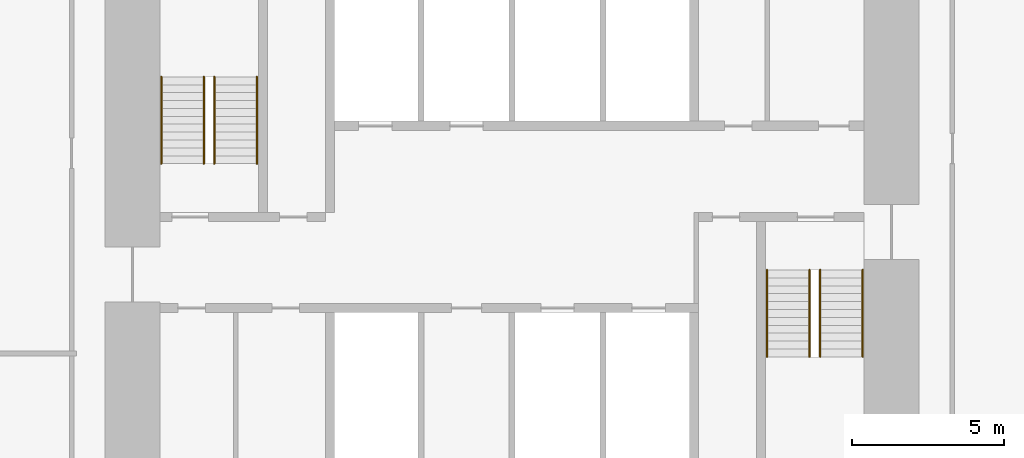
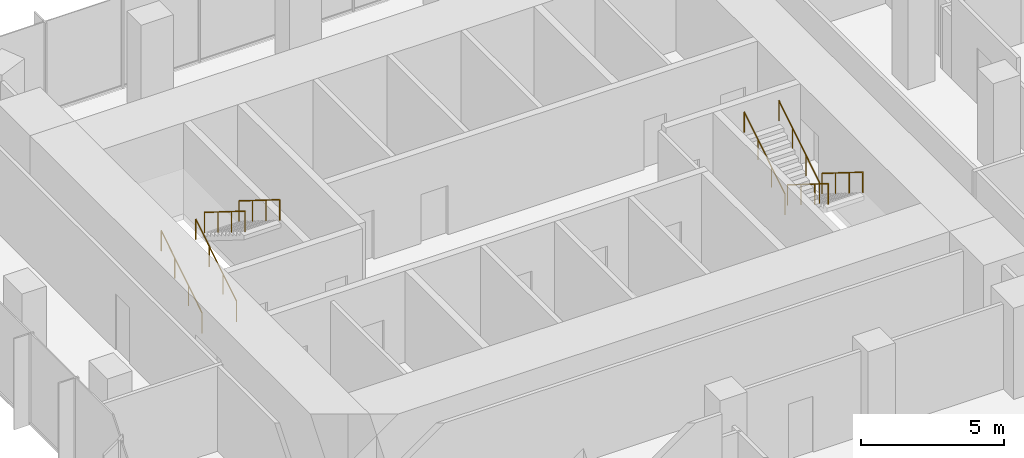
# One storey, part 11 of 11: 8 railings.
"""IFC4 building model written with IfcOpenShell, lengths in metres."""

import ifcopenshell
import ifcopenshell.guid

model = None  # the IFC model being written
_history = None  # IfcOwnerHistory: only IFC2X3 demands one
_inside = {}  # id of a spatial element -> (the spatial element, [elements in it])
_under = {}  # id of a project, library or spatial element -> (it, [spatial elements below it])
_declared = {}  # id of a project -> (the project, [libraries it declares])
_typed = {}  # id of a type object -> (the type object, [elements of that type])
_made_of = {}  # id of a material, layer set ... -> (it, [elements and type objects made of it])


def new_model(schema):
    """Start an empty IFC model of exactly this schema.

    Asked for "IFC4X3", IfcOpenShell would pick the latest addendum, in which some entities
    have other attributes; the version numbers below select the first issue.
    IFC2X3 requires an IfcOwnerHistory on every rooted entity: one is made here for all.
    """
    global model, _history
    if schema == "IFC4X3":
        model = ifcopenshell.file(schema_version=(4, 3, 0, 0))
    else:
        model = ifcopenshell.file(schema=schema)
    _inside.clear()
    _under.clear()
    _declared.clear()
    _typed.clear()
    _made_of.clear()
    _history = None
    if model.schema == "IFC2X3":
        org = make("IfcOrganization", Name="unknown")
        user = make(
            "IfcPersonAndOrganization",
            ThePerson=make("IfcPerson", FamilyName="unknown"),
            TheOrganization=org,
        )
        app = make(
            "IfcApplication",
            ApplicationDeveloper=org,
            Version="unknown",
            ApplicationFullName="unknown",
            ApplicationIdentifier="unknown",
        )
        _history = make(
            "IfcOwnerHistory",
            OwningUser=user,
            OwningApplication=app,
            ChangeAction="ADDED",
            CreationDate=0,
        )
    return model


def make(cls, **values):
    """One entity of the class cls with the attributes given. An attribute that is None is left unset."""
    return model.create_entity(
        cls, **{name: value for name, value in values.items() if value is not None}
    )


def rooted(cls, **values):
    """An entity with a GlobalId (a new one), such as an element, a storey or a relation."""
    return make(cls, GlobalId=ifcopenshell.guid.new(), OwnerHistory=_history, **values)


def si_unit(unit_type, name, prefix=None):
    """IfcSIUnit, for example si_unit("LENGTHUNIT", "METRE", prefix="MILLI")."""
    return make("IfcSIUnit", UnitType=unit_type, Prefix=prefix, Name=name)


def assignment(units):
    """IfcUnitAssignment: the units of a project."""
    return None if units is None else make("IfcUnitAssignment", Units=units)


def point(xyz):
    """IfcCartesianPoint."""
    return None if xyz is None else make("IfcCartesianPoint", Coordinates=xyz)


def direction(xyz):
    """IfcDirection."""
    return None if xyz is None else make("IfcDirection", DirectionRatios=xyz)


def frame(location, z_axis=None, x_axis=None):
    """IfcAxis2Placement3D, a coordinate frame: its origin and axes. An axis left out is left unset."""
    return make(
        "IfcAxis2Placement3D",
        Location=point(location),
        Axis=direction(z_axis),
        RefDirection=direction(x_axis),
    )


def frame_2d(location, x_axis=None):
    """IfcAxis2Placement2D, a coordinate frame in the plane: its origin and x axis."""
    return make(
        "IfcAxis2Placement2D", Location=point(location), RefDirection=direction(x_axis)
    )


def origin():
    """The frame at (0, 0, 0) with its axes left unset."""
    return frame((0.0, 0.0, 0.0))


def origin_2d():
    """The frame at (0, 0) in the plane with its x axis left unset."""
    return frame_2d((0.0, 0.0))


def place(relative_to, where):
    """IfcLocalPlacement: puts the frame where relative to a parent placement (None: the world)."""
    return make(
        "IfcLocalPlacement", PlacementRelTo=relative_to, RelativePlacement=where
    )


def context(
    kind, dimensions, precision=None, world=None, true_north=None, identifier=None
):
    """IfcGeometricRepresentationContext, for example the 3D "Model" context."""
    return make(
        "IfcGeometricRepresentationContext",
        ContextIdentifier=identifier,
        ContextType=kind,
        CoordinateSpaceDimension=dimensions,
        Precision=precision,
        WorldCoordinateSystem=world,
        TrueNorth=true_north,
    )


def subcontext(parent, identifier, kind, view, scale=None):
    """IfcGeometricRepresentationSubContext, for example "Body" below "Model"."""
    return make(
        "IfcGeometricRepresentationSubContext",
        ContextIdentifier=identifier,
        ContextType=kind,
        ParentContext=parent,
        TargetScale=scale,
        TargetView=view,
    )


def project(units=None, contexts=None):
    """IfcProject with its units and contexts."""
    return rooted(
        "IfcProject",
        Name="project",
        RepresentationContexts=contexts,
        UnitsInContext=assignment(units),
    )


def spatial(cls, under=None, at=None, **own):
    """A site, building, storey or space (cls), placed at a placement, below another one or the project."""
    s = rooted(cls, ObjectPlacement=at, **own)
    if under is not None:
        _under.setdefault(under.id(), (under, []))[1].append(s)
    return s


def profile(cls, at=None, kind="AREA", **sizes):
    """A parametric profile (cls). Its sizes go by their IFC names, for example OverallWidth=200.0."""
    return make(cls, ProfileType=kind, Position=at, **sizes)


def circle(**sizes):
    """IfcCircleProfileDef."""
    return profile("IfcCircleProfileDef", **sizes)


def extrude(swept, where, along, depth):
    """IfcExtrudedAreaSolid: the profile swept, set in the frame where, extruded along a direction by depth."""
    return make(
        "IfcExtrudedAreaSolid",
        SweptArea=swept,
        Position=where,
        ExtrudedDirection=direction(along),
        Depth=depth,
    )


def shape(context_of_items, identifier, shape_type, items):
    """IfcShapeRepresentation: the items that make up one representation, for example the "Body"."""
    return make(
        "IfcShapeRepresentation",
        ContextOfItems=context_of_items,
        RepresentationIdentifier=identifier,
        RepresentationType=shape_type,
        Items=items,
    )


def material(Name=None, Category=None):
    """IfcMaterial."""
    return make("IfcMaterial", Name=Name, Category=Category)


def made_of(thing, what):
    """Note that an element or type object is made of a material, layer set ...; save() writes the relation."""
    if what is not None:
        _made_of.setdefault(what.id(), (what, []))[1].append(thing)
    return thing


def type_object(cls, material=None, **own):
    """A type object (cls), such as IfcWallType, which elements share."""
    return made_of(rooted(cls, **own), material)


def element(
    cls,
    number,
    at=None,
    inside=None,
    cuts=None,
    type_object=None,
    material=None,
    context=None,
    identifier="Body",
    shape_type=None,
    held_by="IfcProductDefinitionShape",
    body=None,
    shapes=None,
    **own,
):
    """One element of the class cls, such as IfcWall. Its Tag is "e" and its number.

    at: its placement. inside: the storey or other place that contains it. cuts: it is an
    opening in that element (IfcRelVoidsElement). A single representation is given by context,
    identifier, shape_type and body (its items); several are given by shapes. held_by: the class
    of the entity that holds the representations. save() writes the other relations.
    """
    e = rooted(cls, Tag="e%d" % number, ObjectPlacement=at, **own)
    if body is not None:
        shapes = [shape(context, identifier, shape_type, body)]
    if shapes is not None:
        e.Representation = make(held_by, Representations=shapes)
    if inside is not None:
        _inside.setdefault(inside.id(), (inside, []))[1].append(e)
    if cuts is not None:
        rooted(
            "IfcRelVoidsElement", RelatingBuildingElement=cuts, RelatedOpeningElement=e
        )
    if type_object is not None:
        _typed.setdefault(type_object.id(), (type_object, []))[1].append(e)
    return made_of(e, material)


def aggregate(whole, parts):
    """IfcRelAggregates: a whole, such as a stair, and the parts it consists of."""
    return rooted("IfcRelAggregates", RelatingObject=whole, RelatedObjects=parts)


def save(model, path):
    """Write the relations noted so far, then the file.

    IfcRelAggregates (storeys below a building ...), IfcRelContainedInSpatialStructure (elements
    in a storey), IfcRelDefinesByType, IfcRelAssociatesMaterial and IfcRelDeclares: one each for
    every whole, place, type object, material and project.
    """
    for whole, parts in _under.values():
        aggregate(whole, parts)
    for where, things in _inside.values():
        rooted(
            "IfcRelContainedInSpatialStructure",
            RelatedElements=things,
            RelatingStructure=where,
        )
    for kind, things in _typed.values():
        rooted("IfcRelDefinesByType", RelatedObjects=things, RelatingType=kind)
    for what, things in _made_of.values():
        rooted("IfcRelAssociatesMaterial", RelatedObjects=things, RelatingMaterial=what)
    for by, libraries in _declared.values():
        rooted("IfcRelDeclares", RelatingContext=by, RelatedDefinitions=libraries)
    model.write(path)


model = new_model("IFC4")

# Units and contexts
model_context = context("Model", 3, precision=1e-05, world=origin(), true_north=direction((0.0, 1.0)))
body_context = subcontext(model_context, "Body", "Model", "MODEL_VIEW")
ifc_project = project(units=[si_unit("LENGTHUNIT", "METRE"), si_unit("AREAUNIT", "SQUARE_METRE"), si_unit("VOLUMEUNIT", "CUBIC_METRE"), si_unit("PLANEANGLEUNIT", "RADIAN"), si_unit("MASSUNIT", "GRAM", prefix="KILO")], contexts=[model_context])

# Site, building, storey
site_placement = place(None, origin())
site = spatial("IfcSite", under=ifc_project, at=site_placement, CompositionType="ELEMENT")
building_placement = place(site_placement, origin())
building = spatial("IfcBuilding", under=site, at=building_placement, Name="Highveld Stack Headquarters", CompositionType="ELEMENT")
storey_placement = place(building_placement, frame((0.0, 0.0, 280.10009765625)))
storey = spatial("IfcBuildingStorey", under=building, at=storey_placement, Name="L69", CompositionType="ELEMENT", Elevation=280.10009765625)

# Railings
ifc_material = material(Name="Stainless steel handrail", Category="steel")
railing_type = type_object("IfcRailingType", Name="STAIR HANDRAIL HR1 900", PredefinedType="HANDRAIL", material=ifc_material)
for number, where, name in (
    (1, (-5.550048828125, 4.75, 0.162353515625), "Handrail S1 L69 flight 1"),
    (2, (-4.14990234375, 4.75, 0.162353515625), "Handrail S1 L69 flight 1"),
):
    element("IfcRailing", number, at=place(storey_placement, frame(where)), inside=storey, type_object=railing_type, Name=name, PredefinedType="HANDRAIL", context=body_context, shape_type="SweptSolid", body=[
        extrude(circle(Radius=0.02392578125, at=origin_2d()), frame((0.0, 0.0, 0.8759765625), z_axis=(0.0, 0.847994237388, 0.530005446535), x_axis=(-1.0, 0.0, 0.0)), (0.0, 0.0, 1.0), 3.372802734375),
        extrude(circle(Radius=0.02099609375, at=origin_2d()), origin(), (0.0, 0.0, 1.0), 0.851806640625),
        extrude(circle(Radius=0.02099609375, at=origin_2d()), frame((0.0, 0.953369140625, 0.595947265625)), (0.0, 0.0, 1.0), 0.851806640625),
        extrude(circle(Radius=0.02099609375, at=origin_2d()), frame((0.0, 1.90673828125, 1.191650390625)), (0.0, 0.0, 1.0), 0.851806640625),
        extrude(circle(Radius=0.02099609375, at=origin_2d()), frame((0.0, 2.860107421875, 1.78759765625)), (0.0, 0.0, 1.0), 0.851806640625),
    ])
for number, where, name in (
    (3, (-3.800048828125, 7.610107421875, 2.1123046875), "Handrail S1 L69 flight 2"),
    (4, (-2.39990234375, 7.610107421875, 2.1123046875), "Handrail S1 L69 flight 2"),
    (5, (16.14990234375, 1.25, 0.162353515625), "Handrail S2 L69 flight 1"),
    (6, (17.550048828125, 1.25, 0.162353515625), "Handrail S2 L69 flight 1"),
):
    element("IfcRailing", number, at=place(storey_placement, frame(where)), inside=storey, type_object=railing_type, Name=name, PredefinedType="HANDRAIL", context=body_context, shape_type="SweptSolid", body=[
        extrude(circle(Radius=0.02392578125, at=origin_2d()), frame((0.0, 0.0, 0.8759765625), z_axis=(0.0, -0.847994237388, 0.530005446535), x_axis=(1.0, 0.0, 0.0)), (0.0, 0.0, 1.0), 3.372802734375),
        extrude(circle(Radius=0.02099609375, at=origin_2d()), origin(), (0.0, 0.0, 1.0), 0.851806640625),
        extrude(circle(Radius=0.02099609375, at=origin_2d()), frame((0.0, -0.953369140625, 0.595947265625)), (0.0, 0.0, 1.0), 0.851806640625),
        extrude(circle(Radius=0.02099609375, at=origin_2d()), frame((0.0, -1.90673828125, 1.191650390625)), (0.0, 0.0, 1.0), 0.851806640625),
        extrude(circle(Radius=0.02099609375, at=origin_2d()), frame((0.0, -2.860107421875, 1.78759765625)), (0.0, 0.0, 1.0), 0.851806640625),
    ])
for number, where, name in (
    (7, (14.39990234375, -1.610107421875, 2.1123046875), "Handrail S2 L69 flight 2"),
    (8, (15.800048828125, -1.610107421875, 2.1123046875), "Handrail S2 L69 flight 2"),
):
    element("IfcRailing", number, at=place(storey_placement, frame(where)), inside=storey, type_object=railing_type, Name=name, PredefinedType="HANDRAIL", context=body_context, shape_type="SweptSolid", body=[
        extrude(circle(Radius=0.02392578125, at=origin_2d()), frame((0.0, 0.0, 0.8759765625), z_axis=(0.0, 0.847994237388, 0.530005446535), x_axis=(-1.0, 0.0, 0.0)), (0.0, 0.0, 1.0), 3.372802734375),
        extrude(circle(Radius=0.02099609375, at=origin_2d()), origin(), (0.0, 0.0, 1.0), 0.851806640625),
        extrude(circle(Radius=0.02099609375, at=origin_2d()), frame((0.0, 0.953369140625, 0.595947265625)), (0.0, 0.0, 1.0), 0.851806640625),
        extrude(circle(Radius=0.02099609375, at=origin_2d()), frame((0.0, 1.90673828125, 1.191650390625)), (0.0, 0.0, 1.0), 0.851806640625),
        extrude(circle(Radius=0.02099609375, at=origin_2d()), frame((0.0, 2.860107421875, 1.78759765625)), (0.0, 0.0, 1.0), 0.851806640625),
    ])

save(model, "model.ifc")
